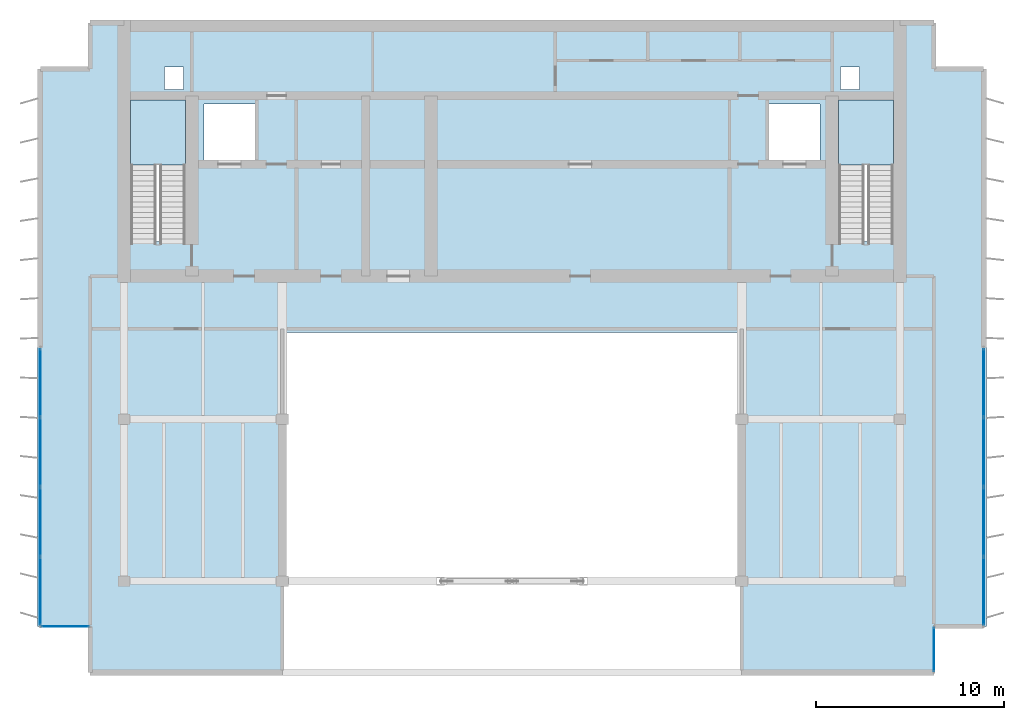
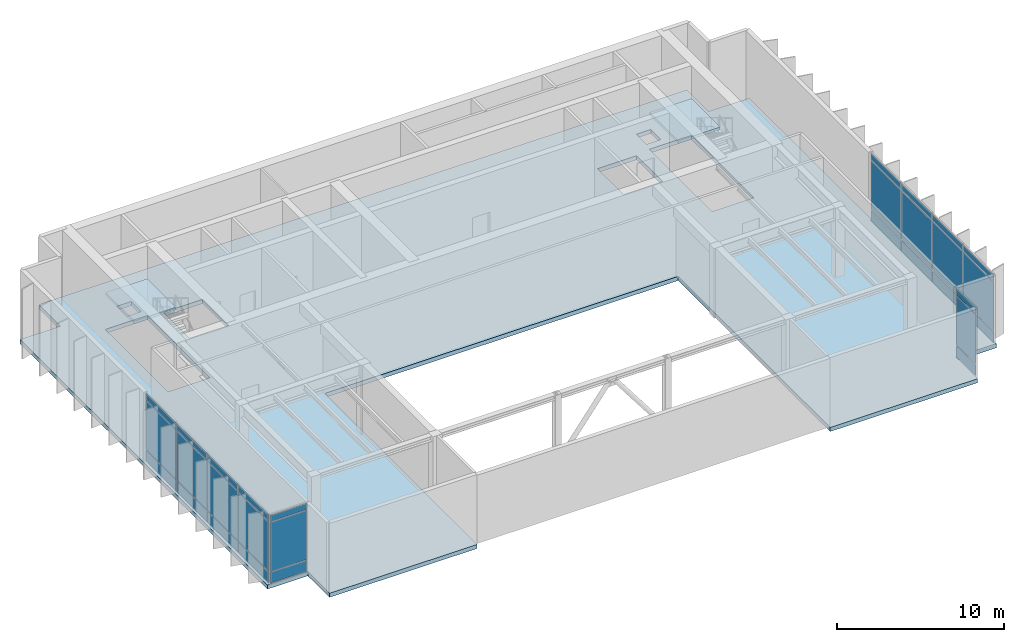
# One storey, part 4 of 9: 30 plates, 3 slabs, 6 elements without a shape of their own.
"""IFC4 building model written with IfcOpenShell, lengths in metres."""

from ifc_helpers import new_model, si_unit, direction, frame, origin, origin_2d, place, context, subcontext, project, spatial, polyline, rectangle, outline, extrude, material, layer, layer_set, type_object, element, aggregate, save


model = new_model("IFC4")

# Units and contexts
model_context = context("Model", 3, precision=1e-05, world=origin(), true_north=direction((0.0, 1.0)))
body_context = subcontext(model_context, "Body", "Model", "MODEL_VIEW")
ifc_project = project(units=[si_unit("LENGTHUNIT", "METRE"), si_unit("AREAUNIT", "SQUARE_METRE"), si_unit("VOLUMEUNIT", "CUBIC_METRE"), si_unit("PLANEANGLEUNIT", "RADIAN"), si_unit("MASSUNIT", "GRAM", prefix="KILO")], contexts=[model_context])

# Site, building, storey
site_placement = place(None, origin())
site = spatial("IfcSite", under=ifc_project, at=site_placement, CompositionType="ELEMENT")
building_placement = place(site_placement, origin())
building = spatial("IfcBuilding", under=site, at=building_placement, Name="Caelmar Bay Residences", CompositionType="ELEMENT")
storey_placement = place(building_placement, frame((0.0, 0.0, 290.199951171875)))
storey = spatial("IfcBuildingStorey", under=building, at=storey_placement, Name="L80", CompositionType="ELEMENT", Elevation=290.199951171875)

# Curtain wall, plates
ifc_material_1 = material(Name="Anodised bronze aluminium 6063-T6 and laminated glass", Category="aluminium")
ifc_layer_1 = layer(ifc_material_1, 0.179931640625)
ifc_layer_set_1 = layer_set([ifc_layer_1], Name="Anodised bronze aluminium 6063-T6 and laminated glass")
curtain_wall_type_1 = type_object("IfcCurtainWallType", Name="CW6-NTC", PredefinedType="NOTDEFINED", material=ifc_layer_set_1)
curtain_wall_1_placement = place(storey_placement, origin())
curtain_wall_1 = element("IfcCurtainWall", 1, at=curtain_wall_1_placement, inside=storey, type_object=curtain_wall_type_1, Name="CW6 curtain wall L80", PredefinedType="NOTDEFINED")
ifc_material_2 = material(Name="Bronze-tinted laminated low-E hurricane glass 28 mm", Category="glass")
ifc_layer_2 = layer(ifc_material_2, 0.028076171875)
ifc_layer_set_2 = layer_set([ifc_layer_2], Name="Bronze-tinted laminated low-E hurricane glass 28 mm")
plate_type_1 = type_object("IfcPlateType", Name="CWP-GLZ28", PredefinedType="CURTAIN_PANEL", material=ifc_layer_set_2)
plate_1_placement = place(storey_placement, frame((15.175048828125, 18.39990234375, 0.080078125), z_axis=(0.0, 0.0, 1.0), x_axis=(1.0, 0.0, 0.0)))
plate_1 = element("IfcPlate", 2, at=plate_1_placement, type_object=plate_type_1, Name="CW6 panel 1.1", PredefinedType="CURTAIN_PANEL", context=body_context, shape_type="SweptSolid", body=[
    extrude(rectangle(XDim=2.489990234375, YDim=0.028076171875, at=origin_2d()), origin(), (0.0, 0.0, 1.0), 0.780029296875),
])
plate_2_placement = place(storey_placement, frame((15.175048828125, 18.39990234375, 0.93994140625), z_axis=(0.0, 0.0, 1.0), x_axis=(1.0, 0.0, 0.0)))
plate_2 = element("IfcPlate", 3, at=plate_2_placement, type_object=plate_type_1, Name="CW6 panel 1.2", PredefinedType="CURTAIN_PANEL", context=body_context, shape_type="SweptSolid", body=[
    extrude(rectangle(XDim=2.489990234375, YDim=0.028076171875, at=origin_2d()), origin(), (0.0, 0.0, 1.0), 3.570068359375),
])
plate_3_placement = place(storey_placement, frame((15.175048828125, 18.39990234375, 4.58984375), z_axis=(0.0, 0.0, 1.0), x_axis=(1.0, 0.0, 0.0)))
plate_3 = element("IfcPlate", 4, at=plate_3_placement, type_object=plate_type_1, Name="CW6 panel 1.3", PredefinedType="CURTAIN_PANEL", context=body_context, shape_type="SweptSolid", body=[
    extrude(rectangle(XDim=2.489990234375, YDim=0.028076171875, at=origin_2d()), origin(), (0.0, 0.0, 1.0), 0.429931640625),
])
aggregate(curtain_wall_1, [plate_1, plate_2, plate_3])

curtain_wall_2_placement = place(storey_placement, origin())
curtain_wall_2 = element("IfcCurtainWall", 5, at=curtain_wall_2_placement, inside=storey, type_object=curtain_wall_type_1, Name="CW6 curtain wall L80", PredefinedType="NOTDEFINED")
plate_4_placement = place(storey_placement, frame((61.300048828125, 17.175048828125, 0.080078125), z_axis=(0.0, 0.0, 1.0), x_axis=(0.0, 1.0, 0.0)))
plate_4 = element("IfcPlate", 6, at=plate_4_placement, type_object=plate_type_1, Name="CW6 panel 1.1", PredefinedType="CURTAIN_PANEL", context=body_context, shape_type="SweptSolid", body=[
    extrude(rectangle(XDim=2.2900390625, YDim=0.028076171875, at=origin_2d()), origin(), (0.0, 0.0, 1.0), 0.780029296875),
])
plate_5_placement = place(storey_placement, frame((61.300048828125, 17.175048828125, 0.93994140625), z_axis=(0.0, 0.0, 1.0), x_axis=(0.0, 1.0, 0.0)))
plate_5 = element("IfcPlate", 7, at=plate_5_placement, type_object=plate_type_1, Name="CW6 panel 1.2", PredefinedType="CURTAIN_PANEL", context=body_context, shape_type="SweptSolid", body=[
    extrude(rectangle(XDim=2.2900390625, YDim=0.028076171875, at=origin_2d()), origin(), (0.0, 0.0, 1.0), 3.570068359375),
])
plate_6_placement = place(storey_placement, frame((61.300048828125, 17.175048828125, 4.58984375), z_axis=(0.0, 0.0, 1.0), x_axis=(0.0, 1.0, 0.0)))
plate_6 = element("IfcPlate", 8, at=plate_6_placement, type_object=plate_type_1, Name="CW6 panel 1.3", PredefinedType="CURTAIN_PANEL", context=body_context, shape_type="SweptSolid", body=[
    extrude(rectangle(XDim=2.2900390625, YDim=0.028076171875, at=origin_2d()), origin(), (0.0, 0.0, 1.0), 0.429931640625),
])
aggregate(curtain_wall_2, [plate_4, plate_5, plate_6])

ifc_layer_3 = layer(ifc_material_1, 0.179931640625)
ifc_layer_set_3 = layer_set([ifc_layer_3], Name="Anodised bronze aluminium 6063-T6 and laminated glass")
curtain_wall_type_2 = type_object("IfcCurtainWallType", Name="CW7-CRN", PredefinedType="NOTDEFINED", material=ifc_layer_set_3)
curtain_wall_3_placement = place(storey_placement, origin())
curtain_wall_3 = element("IfcCurtainWall", 9, at=curtain_wall_3_placement, inside=storey, type_object=curtain_wall_type_2, Name="CW7 curtain wall L80", PredefinedType="NOTDEFINED")
ifc_material_3 = material(Name="Bronze-tinted laminated low-E hurricane glass 32 mm", Category="glass")
ifc_layer_4 = layer(ifc_material_3, 0.031982421875)
ifc_layer_set_4 = layer_set([ifc_layer_4], Name="Bronze-tinted laminated low-E hurricane glass 32 mm")
plate_type_2 = type_object("IfcPlateType", Name="CWP-GLZ32", PredefinedType="CURTAIN_PANEL", material=ifc_layer_set_4)
plate_7_placement = place(storey_placement, frame((13.85009765625, 20.27001953125, 0.080078125), z_axis=(0.0, 0.0, 1.0), x_axis=(0.0, 1.0, 0.0)))
plate_7 = element("IfcPlate", 10, at=plate_7_placement, type_object=plate_type_2, Name="CW7 panel 1.1", PredefinedType="CURTAIN_PANEL", context=body_context, shape_type="SweptSolid", body=[
    extrude(rectangle(XDim=3.580078125, YDim=0.031982421875, at=origin_2d()), origin(), (0.0, 0.0, 1.0), 0.780029296875),
])
plate_8_placement = place(storey_placement, frame((13.85009765625, 20.27001953125, 0.93994140625), z_axis=(0.0, 0.0, 1.0), x_axis=(0.0, 1.0, 0.0)))
plate_8 = element("IfcPlate", 11, at=plate_8_placement, type_object=plate_type_2, Name="CW7 panel 1.2", PredefinedType="CURTAIN_PANEL", context=body_context, shape_type="SweptSolid", body=[
    extrude(rectangle(XDim=3.580078125, YDim=0.031982421875, at=origin_2d()), origin(), (0.0, 0.0, 1.0), 3.570068359375),
])
plate_9_placement = place(storey_placement, frame((13.85009765625, 20.27001953125, 4.58984375), z_axis=(0.0, 0.0, 1.0), x_axis=(0.0, 1.0, 0.0)))
plate_9 = element("IfcPlate", 12, at=plate_9_placement, type_object=plate_type_2, Name="CW7 panel 1.3", PredefinedType="CURTAIN_PANEL", context=body_context, shape_type="SweptSolid", body=[
    extrude(rectangle(XDim=3.580078125, YDim=0.031982421875, at=origin_2d()), origin(), (0.0, 0.0, 1.0), 0.429931640625),
])
plate_10_placement = place(storey_placement, frame((13.85009765625, 23.949951171875, 0.080078125), z_axis=(0.0, 0.0, 1.0), x_axis=(0.0, 1.0, 0.0)))
plate_10 = element("IfcPlate", 13, at=plate_10_placement, type_object=plate_type_2, Name="CW7 panel 2.1", PredefinedType="CURTAIN_PANEL", context=body_context, shape_type="SweptSolid", body=[
    extrude(rectangle(XDim=3.6201171875, YDim=0.031982421875, at=origin_2d()), origin(), (0.0, 0.0, 1.0), 0.780029296875),
])
plate_11_placement = place(storey_placement, frame((13.85009765625, 23.949951171875, 0.93994140625), z_axis=(0.0, 0.0, 1.0), x_axis=(0.0, 1.0, 0.0)))
plate_11 = element("IfcPlate", 14, at=plate_11_placement, type_object=plate_type_2, Name="CW7 panel 2.2", PredefinedType="CURTAIN_PANEL", context=body_context, shape_type="SweptSolid", body=[
    extrude(rectangle(XDim=3.6201171875, YDim=0.031982421875, at=origin_2d()), origin(), (0.0, 0.0, 1.0), 3.570068359375),
])
plate_12_placement = place(storey_placement, frame((13.85009765625, 23.949951171875, 4.58984375), z_axis=(0.0, 0.0, 1.0), x_axis=(0.0, 1.0, 0.0)))
plate_12 = element("IfcPlate", 15, at=plate_12_placement, type_object=plate_type_2, Name="CW7 panel 2.3", PredefinedType="CURTAIN_PANEL", context=body_context, shape_type="SweptSolid", body=[
    extrude(rectangle(XDim=3.6201171875, YDim=0.031982421875, at=origin_2d()), origin(), (0.0, 0.0, 1.0), 0.429931640625),
])
plate_13_placement = place(storey_placement, frame((13.85009765625, 27.64990234375, 0.080078125), z_axis=(0.0, 0.0, 1.0), x_axis=(0.0, 1.0, 0.0)))
plate_13 = element("IfcPlate", 16, at=plate_13_placement, type_object=plate_type_2, Name="CW7 panel 3.1", PredefinedType="CURTAIN_PANEL", context=body_context, shape_type="SweptSolid", body=[
    extrude(rectangle(XDim=3.6201171875, YDim=0.031982421875, at=origin_2d()), origin(), (0.0, 0.0, 1.0), 0.780029296875),
])
plate_14_placement = place(storey_placement, frame((13.85009765625, 27.64990234375, 0.93994140625), z_axis=(0.0, 0.0, 1.0), x_axis=(0.0, 1.0, 0.0)))
plate_14 = element("IfcPlate", 17, at=plate_14_placement, type_object=plate_type_2, Name="CW7 panel 3.2", PredefinedType="CURTAIN_PANEL", context=body_context, shape_type="SweptSolid", body=[
    extrude(rectangle(XDim=3.6201171875, YDim=0.031982421875, at=origin_2d()), origin(), (0.0, 0.0, 1.0), 3.570068359375),
])
plate_15_placement = place(storey_placement, frame((13.85009765625, 27.64990234375, 4.58984375), z_axis=(0.0, 0.0, 1.0), x_axis=(0.0, 1.0, 0.0)))
plate_15 = element("IfcPlate", 18, at=plate_15_placement, type_object=plate_type_2, Name="CW7 panel 3.3", PredefinedType="CURTAIN_PANEL", context=body_context, shape_type="SweptSolid", body=[
    extrude(rectangle(XDim=3.6201171875, YDim=0.031982421875, at=origin_2d()), origin(), (0.0, 0.0, 1.0), 0.429931640625),
])
plate_16_placement = place(storey_placement, frame((13.85009765625, 31.330078125, 0.080078125), z_axis=(0.0, 0.0, 1.0), x_axis=(0.0, 1.0, 0.0)))
plate_16 = element("IfcPlate", 19, at=plate_16_placement, type_object=plate_type_2, Name="CW7 panel 4.1", PredefinedType="CURTAIN_PANEL", context=body_context, shape_type="SweptSolid", body=[
    extrude(rectangle(XDim=3.580078125, YDim=0.031982421875, at=origin_2d()), origin(), (0.0, 0.0, 1.0), 0.780029296875),
])
plate_17_placement = place(storey_placement, frame((13.85009765625, 31.330078125, 0.93994140625), z_axis=(0.0, 0.0, 1.0), x_axis=(0.0, 1.0, 0.0)))
plate_17 = element("IfcPlate", 20, at=plate_17_placement, type_object=plate_type_2, Name="CW7 panel 4.2", PredefinedType="CURTAIN_PANEL", context=body_context, shape_type="SweptSolid", body=[
    extrude(rectangle(XDim=3.580078125, YDim=0.031982421875, at=origin_2d()), origin(), (0.0, 0.0, 1.0), 3.570068359375),
])
plate_18_placement = place(storey_placement, frame((13.85009765625, 31.330078125, 4.58984375), z_axis=(0.0, 0.0, 1.0), x_axis=(0.0, 1.0, 0.0)))
plate_18 = element("IfcPlate", 21, at=plate_18_placement, type_object=plate_type_2, Name="CW7 panel 4.3", PredefinedType="CURTAIN_PANEL", context=body_context, shape_type="SweptSolid", body=[
    extrude(rectangle(XDim=3.580078125, YDim=0.031982421875, at=origin_2d()), origin(), (0.0, 0.0, 1.0), 0.429931640625),
])
aggregate(curtain_wall_3, [plate_7, plate_8, plate_9, plate_10, plate_11, plate_12, plate_13, plate_14, plate_15, plate_16, plate_17, plate_18])

curtain_wall_4_placement = place(storey_placement, origin())
curtain_wall_4 = element("IfcCurtainWall", 22, at=curtain_wall_4_placement, inside=storey, type_object=curtain_wall_type_2, Name="CW7 curtain wall L80", PredefinedType="NOTDEFINED")
plate_19_placement = place(storey_placement, frame((63.949951171875, 31.330078125, 0.080078125), z_axis=(0.0, 0.0, 1.0), x_axis=(0.0, -1.0, 0.0)))
plate_19 = element("IfcPlate", 23, at=plate_19_placement, type_object=plate_type_2, Name="CW7 panel 1.1", PredefinedType="CURTAIN_PANEL", context=body_context, shape_type="SweptSolid", body=[
    extrude(rectangle(XDim=3.580078125, YDim=0.031982421875, at=origin_2d()), origin(), (0.0, 0.0, 1.0), 0.780029296875),
])
plate_20_placement = place(storey_placement, frame((63.949951171875, 31.330078125, 0.93994140625), z_axis=(0.0, 0.0, 1.0), x_axis=(0.0, -1.0, 0.0)))
plate_20 = element("IfcPlate", 24, at=plate_20_placement, type_object=plate_type_2, Name="CW7 panel 1.2", PredefinedType="CURTAIN_PANEL", context=body_context, shape_type="SweptSolid", body=[
    extrude(rectangle(XDim=3.580078125, YDim=0.031982421875, at=origin_2d()), origin(), (0.0, 0.0, 1.0), 3.570068359375),
])
plate_21_placement = place(storey_placement, frame((63.949951171875, 31.330078125, 4.58984375), z_axis=(0.0, 0.0, 1.0), x_axis=(0.0, -1.0, 0.0)))
plate_21 = element("IfcPlate", 25, at=plate_21_placement, type_object=plate_type_2, Name="CW7 panel 1.3", PredefinedType="CURTAIN_PANEL", context=body_context, shape_type="SweptSolid", body=[
    extrude(rectangle(XDim=3.580078125, YDim=0.031982421875, at=origin_2d()), origin(), (0.0, 0.0, 1.0), 0.429931640625),
])
plate_22_placement = place(storey_placement, frame((63.949951171875, 27.64990234375, 0.080078125), z_axis=(0.0, 0.0, 1.0), x_axis=(0.0, -1.0, 0.0)))
plate_22 = element("IfcPlate", 26, at=plate_22_placement, type_object=plate_type_2, Name="CW7 panel 2.1", PredefinedType="CURTAIN_PANEL", context=body_context, shape_type="SweptSolid", body=[
    extrude(rectangle(XDim=3.6201171875, YDim=0.031982421875, at=origin_2d()), origin(), (0.0, 0.0, 1.0), 0.780029296875),
])
plate_23_placement = place(storey_placement, frame((63.949951171875, 27.64990234375, 0.93994140625), z_axis=(0.0, 0.0, 1.0), x_axis=(0.0, -1.0, 0.0)))
plate_23 = element("IfcPlate", 27, at=plate_23_placement, type_object=plate_type_2, Name="CW7 panel 2.2", PredefinedType="CURTAIN_PANEL", context=body_context, shape_type="SweptSolid", body=[
    extrude(rectangle(XDim=3.6201171875, YDim=0.031982421875, at=origin_2d()), origin(), (0.0, 0.0, 1.0), 3.570068359375),
])
plate_24_placement = place(storey_placement, frame((63.949951171875, 27.64990234375, 4.58984375), z_axis=(0.0, 0.0, 1.0), x_axis=(0.0, -1.0, 0.0)))
plate_24 = element("IfcPlate", 28, at=plate_24_placement, type_object=plate_type_2, Name="CW7 panel 2.3", PredefinedType="CURTAIN_PANEL", context=body_context, shape_type="SweptSolid", body=[
    extrude(rectangle(XDim=3.6201171875, YDim=0.031982421875, at=origin_2d()), origin(), (0.0, 0.0, 1.0), 0.429931640625),
])
plate_25_placement = place(storey_placement, frame((63.949951171875, 23.949951171875, 0.080078125), z_axis=(0.0, 0.0, 1.0), x_axis=(0.0, -1.0, 0.0)))
plate_25 = element("IfcPlate", 29, at=plate_25_placement, type_object=plate_type_2, Name="CW7 panel 3.1", PredefinedType="CURTAIN_PANEL", context=body_context, shape_type="SweptSolid", body=[
    extrude(rectangle(XDim=3.6201171875, YDim=0.031982421875, at=origin_2d()), origin(), (0.0, 0.0, 1.0), 0.780029296875),
])
plate_26_placement = place(storey_placement, frame((63.949951171875, 23.949951171875, 0.93994140625), z_axis=(0.0, 0.0, 1.0), x_axis=(0.0, -1.0, 0.0)))
plate_26 = element("IfcPlate", 30, at=plate_26_placement, type_object=plate_type_2, Name="CW7 panel 3.2", PredefinedType="CURTAIN_PANEL", context=body_context, shape_type="SweptSolid", body=[
    extrude(rectangle(XDim=3.6201171875, YDim=0.031982421875, at=origin_2d()), origin(), (0.0, 0.0, 1.0), 3.570068359375),
])
plate_27_placement = place(storey_placement, frame((63.949951171875, 23.949951171875, 4.58984375), z_axis=(0.0, 0.0, 1.0), x_axis=(0.0, -1.0, 0.0)))
plate_27 = element("IfcPlate", 31, at=plate_27_placement, type_object=plate_type_2, Name="CW7 panel 3.3", PredefinedType="CURTAIN_PANEL", context=body_context, shape_type="SweptSolid", body=[
    extrude(rectangle(XDim=3.6201171875, YDim=0.031982421875, at=origin_2d()), origin(), (0.0, 0.0, 1.0), 0.429931640625),
])
plate_28_placement = place(storey_placement, frame((63.949951171875, 20.27001953125, 0.080078125), z_axis=(0.0, 0.0, 1.0), x_axis=(0.0, -1.0, 0.0)))
plate_28 = element("IfcPlate", 32, at=plate_28_placement, type_object=plate_type_2, Name="CW7 panel 4.1", PredefinedType="CURTAIN_PANEL", context=body_context, shape_type="SweptSolid", body=[
    extrude(rectangle(XDim=3.580078125, YDim=0.031982421875, at=origin_2d()), origin(), (0.0, 0.0, 1.0), 0.780029296875),
])
plate_29_placement = place(storey_placement, frame((63.949951171875, 20.27001953125, 0.93994140625), z_axis=(0.0, 0.0, 1.0), x_axis=(0.0, -1.0, 0.0)))
plate_29 = element("IfcPlate", 33, at=plate_29_placement, type_object=plate_type_2, Name="CW7 panel 4.2", PredefinedType="CURTAIN_PANEL", context=body_context, shape_type="SweptSolid", body=[
    extrude(rectangle(XDim=3.580078125, YDim=0.031982421875, at=origin_2d()), origin(), (0.0, 0.0, 1.0), 3.570068359375),
])
plate_30_placement = place(storey_placement, frame((63.949951171875, 20.27001953125, 4.58984375), z_axis=(0.0, 0.0, 1.0), x_axis=(0.0, -1.0, 0.0)))
plate_30 = element("IfcPlate", 34, at=plate_30_placement, type_object=plate_type_2, Name="CW7 panel 4.3", PredefinedType="CURTAIN_PANEL", context=body_context, shape_type="SweptSolid", body=[
    extrude(rectangle(XDim=3.580078125, YDim=0.031982421875, at=origin_2d()), origin(), (0.0, 0.0, 1.0), 0.429931640625),
])
aggregate(curtain_wall_4, [plate_19, plate_20, plate_21, plate_22, plate_23, plate_24, plate_25, plate_26, plate_27, plate_28, plate_29, plate_30])

# Stair, slab
ifc_material_4 = material(Name="Concrete f'c 40 MPa (6,000 psi)", Category="concrete")
stair_type = type_object("IfcStairType", Name="ST-TAL-170", PredefinedType="HALF_TURN_STAIR", material=ifc_material_4)
stair_1_placement = place(storey_placement, origin())
stair_1 = element("IfcStair", 35, at=stair_1_placement, inside=storey, type_object=stair_type, Name="L80 West Smokeproof Exit Stair ST1", PredefinedType="HALF_TURN_STAIR")
ifc_layer_5 = layer(ifc_material_4, 0.199951171875)
ifc_layer_set_5 = layer_set([ifc_layer_5], Name="Concrete f'c 40 MPa (6,000 psi)")
slab_type_1 = type_object("IfcSlabType", Name="SLB-LND-200", PredefinedType="LANDING", material=ifc_layer_set_5)
slab_1_placement = place(storey_placement, frame((0.0, 0.0, 2.5)))
slab_1 = element("IfcSlab", 36, at=slab_1_placement, type_object=slab_type_1, Name="ST1 landing 1", PredefinedType="LANDING", context=body_context, shape_type="SweptSolid", body=[
    extrude(outline(polyline([(21.550048828125, 42.89990234375), (21.550048828125, 46.35009765625), (18.64990234375, 46.35009765625), (18.64990234375, 42.89990234375), (21.550048828125, 42.89990234375)])), origin(), (0.0, 0.0, 1.0), 0.199951171875),
])
aggregate(stair_1, [slab_1])

stair_2_placement = place(storey_placement, origin())
stair_2 = element("IfcStair", 37, at=stair_2_placement, inside=storey, type_object=stair_type, Name="L80 East Smokeproof Exit Stair ST2", PredefinedType="HALF_TURN_STAIR")
slab_2_placement = place(storey_placement, frame((0.0, 0.0, 2.5)))
slab_2 = element("IfcSlab", 38, at=slab_2_placement, type_object=slab_type_1, Name="ST2 landing 1", PredefinedType="LANDING", context=body_context, shape_type="SweptSolid", body=[
    extrude(outline(polyline([(59.14990234375, 42.89990234375), (59.14990234375, 46.35009765625), (56.25, 46.35009765625), (56.25, 42.89990234375), (59.14990234375, 42.89990234375)])), origin(), (0.0, 0.0, 1.0), 0.199951171875),
])
aggregate(stair_2, [slab_2])

# Slab
ifc_layer_6 = layer(ifc_material_4, 0.300048828125)
ifc_layer_set_6 = layer_set([ifc_layer_6], Name="Concrete f'c 40 MPa (6,000 psi)")
slab_type_2 = type_object("IfcSlabType", Name="SLB-POD-300", PredefinedType="FLOOR", material=ifc_layer_set_6)
slab_3_placement = place(storey_placement, frame((0.0, 0.0, -0.300048828125)))
element("IfcSlab", 39, at=slab_3_placement, inside=storey, type_object=slab_type_2, Name="L80 Structural Floor Slab", PredefinedType="FLOOR", context=body_context, shape_type="SweptSolid", body=[
    extrude(outline(polyline([(26.699951171875, 15.800048828125), (26.699951171875, 34.0), (51.10009765625, 34.0), (51.10009765625, 15.800048828125), (61.300048828125, 15.800048828125), (61.300048828125, 18.39990234375), (64.10009765625, 18.39990234375), (64.10009765625, 48.0), (61.300048828125, 48.0), (61.300048828125, 50.60009765625), (16.5, 50.60009765625), (16.5, 48.0), (13.699951171875, 48.0), (13.699951171875, 18.39990234375), (16.5, 18.39990234375), (16.5, 15.800048828125), (26.699951171875, 15.800048828125)]), holes=[polyline([(18.64990234375, 38.85009765625), (21.550048828125, 38.85009765625), (21.550048828125, 46.35009765625), (18.64990234375, 46.35009765625), (18.64990234375, 38.85009765625)]), polyline([(56.25, 38.85009765625), (59.14990234375, 38.85009765625), (59.14990234375, 46.35009765625), (56.25, 46.35009765625), (56.25, 38.85009765625)]), polyline([(22.550048828125, 43.050048828125), (25.25, 43.050048828125), (25.25, 46.14990234375), (22.550048828125, 46.14990234375), (22.550048828125, 43.050048828125)]), polyline([(52.550048828125, 43.050048828125), (55.25, 43.050048828125), (55.25, 46.14990234375), (52.550048828125, 46.14990234375), (52.550048828125, 43.050048828125)]), polyline([(20.449951171875, 46.89990234375), (21.449951171875, 46.89990234375), (21.449951171875, 48.10009765625), (20.449951171875, 48.10009765625), (20.449951171875, 46.89990234375)]), polyline([(56.35009765625, 46.89990234375), (57.35009765625, 46.89990234375), (57.35009765625, 48.10009765625), (56.35009765625, 48.10009765625), (56.35009765625, 46.89990234375)])]), origin(), (0.0, 0.0, 1.0), 0.300048828125),
])

save(model, "model.ifc")
